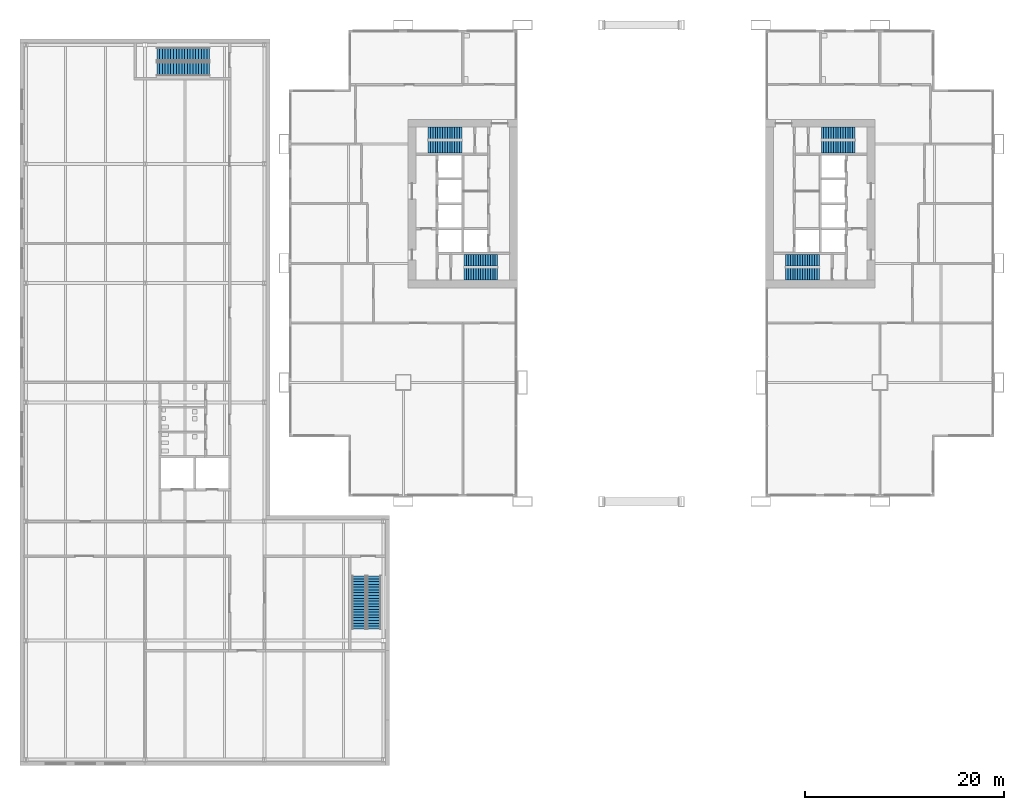
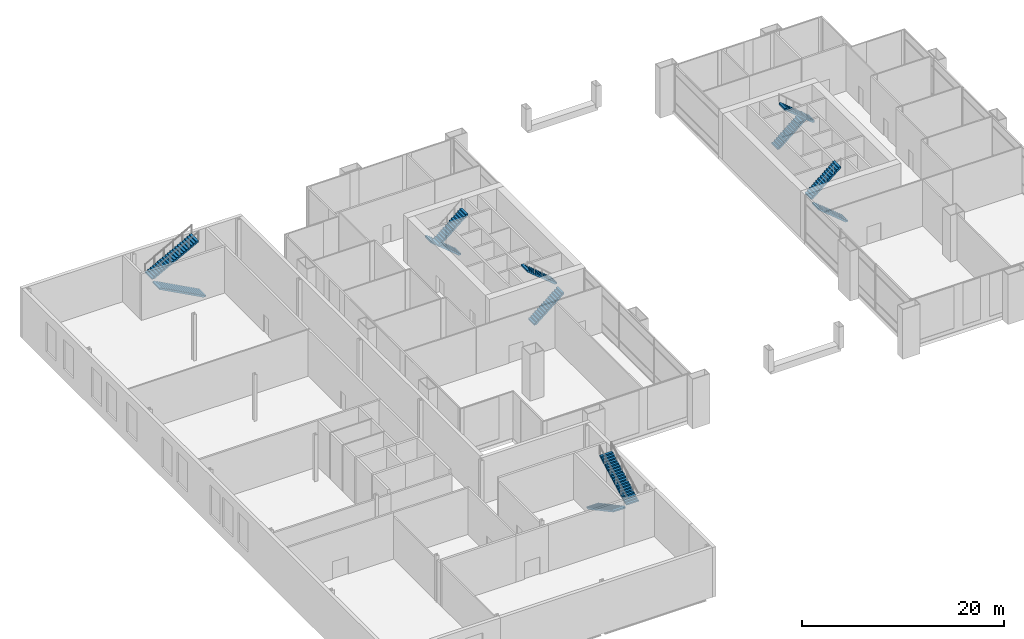
# One storey, part 23 of 25: 12 stair flights, 6 elements without a shape of their own.
"""IFC4 building model written with IfcOpenShell, lengths in metres."""

from ifc_helpers import new_model, si_unit, direction, frame, origin, place, context, subcontext, project, spatial, polyline, outline, extrude, material, type_object, element, aggregate, save


model = new_model("IFC4")

# Units and contexts
model_context = context("Model", 3, precision=1e-05, world=origin(), true_north=direction((0.0, 1.0)))
body_context = subcontext(model_context, "Body", "Model", "MODEL_VIEW")
ifc_project = project(units=[si_unit("LENGTHUNIT", "METRE"), si_unit("AREAUNIT", "SQUARE_METRE"), si_unit("VOLUMEUNIT", "CUBIC_METRE"), si_unit("PLANEANGLEUNIT", "RADIAN"), si_unit("MASSUNIT", "GRAM", prefix="KILO")], contexts=[model_context])

# Site, building, storey
site_placement = place(None, origin())
site = spatial("IfcSite", under=ifc_project, at=site_placement, CompositionType="ELEMENT")
building_placement = place(site_placement, origin())
building = spatial("IfcBuilding", under=site, at=building_placement, Name="Kitamizu Gate Tower and Museum", CompositionType="ELEMENT")
storey_placement = place(building_placement, frame((0.0, 0.0, 18.0)))
storey = spatial("IfcBuildingStorey", under=building, at=storey_placement, Name="L03", CompositionType="ELEMENT", Elevation=18.0)

# Stair, stair flights
ifc_material_1 = material(Name="Concrete Fc30", Category="concrete")
stair_type_1 = type_object("IfcStairType", Name="Museum stair 40 risers", PredefinedType="HALF_TURN_STAIR", material=ifc_material_1)
stair_1_placement = place(storey_placement, origin())
stair_1 = element("IfcStair", 1, at=stair_1_placement, inside=storey, type_object=stair_type_1, Name="Exit stair S", PredefinedType="HALF_TURN_STAIR")
ifc_material_2 = material(Name="Concrete Fc30", Category="concrete")
stair_flight_type_1 = type_object("IfcStairFlightType", Name="Museum stair flight 1400", PredefinedType="STRAIGHT", material=ifc_material_2)
stair_flight_1_placement = place(storey_placement, frame((7.550048828125, -7.5, 0.0), z_axis=(0.0, 0.0, 1.0), x_axis=(0.0, -1.0, 0.0)))
stair_flight_1 = element("IfcStairFlight", 2, at=stair_flight_1_placement, type_object=stair_flight_type_1, Name="MST1 flight 1", NumberOfRisers=20, NumberOfTreads=19, PredefinedType="STRAIGHT", RiserHeight=0.15, TreadLength=0.28, context=body_context, shape_type="SweptSolid", body=[
    extrude(outline(polyline([(0.0, 0.0), (0.0, 0.14990234375), (0.280029296875, 0.14990234375), (0.280029296875, 0.300048828125), (0.56005859375, 0.300048828125), (0.56005859375, 0.449951171875), (0.840087890625, 0.449951171875), (0.840087890625, 0.60009765625), (1.1201171875, 0.60009765625), (1.1201171875, 0.75), (1.39990234375, 0.75), (1.39990234375, 0.89990234375), (1.679931640625, 0.89990234375), (1.679931640625, 1.050048828125), (1.9599609375, 1.050048828125), (1.9599609375, 1.199951171875), (2.239990234375, 1.199951171875), (2.239990234375, 1.35009765625), (2.52001953125, 1.35009765625), (2.52001953125, 1.5), (2.800048828125, 1.5), (2.800048828125, 1.64990234375), (3.080078125, 1.64990234375), (3.080078125, 1.800048828125), (3.360107421875, 1.800048828125), (3.360107421875, 1.949951171875), (3.639892578125, 1.949951171875), (3.639892578125, 2.10009765625), (3.919921875, 2.10009765625), (3.919921875, 2.25), (4.199951171875, 2.25), (4.199951171875, 2.39990234375), (4.47998046875, 2.39990234375), (4.47998046875, 2.550048828125), (4.760009765625, 2.550048828125), (4.760009765625, 2.699951171875), (5.0400390625, 2.699951171875), (5.0400390625, 2.85009765625), (5.320068359375, 2.85009765625), (5.320068359375, 3.0), (5.320068359375, 2.679931640625), (0.3173828125, 0.0), (0.0, 0.0)])), frame((0.0, 0.699951171875, 0.0), z_axis=(0.0, -1.0, 0.0), x_axis=(1.0, 0.0, 0.0)), (0.0, 0.0, 1.0), 1.39990234375),
])
stair_flight_2_placement = place(storey_placement, frame((9.050048828125, -12.820068359375, 3.0), z_axis=(0.0, 0.0, 1.0), x_axis=(0.0, 1.0, 0.0)))
stair_flight_2 = element("IfcStairFlight", 3, at=stair_flight_2_placement, type_object=stair_flight_type_1, Name="MST1 flight 2", NumberOfRisers=20, NumberOfTreads=19, PredefinedType="STRAIGHT", RiserHeight=0.15, TreadLength=0.28, context=body_context, shape_type="SweptSolid", body=[
    extrude(outline(polyline([(0.0, 0.0), (0.0, 0.14990234375), (0.280029296875, 0.14990234375), (0.280029296875, 0.300048828125), (0.56005859375, 0.300048828125), (0.56005859375, 0.449951171875), (0.840087890625, 0.449951171875), (0.840087890625, 0.60009765625), (1.1201171875, 0.60009765625), (1.1201171875, 0.75), (1.39990234375, 0.75), (1.39990234375, 0.89990234375), (1.679931640625, 0.89990234375), (1.679931640625, 1.050048828125), (1.9599609375, 1.050048828125), (1.9599609375, 1.199951171875), (2.239990234375, 1.199951171875), (2.239990234375, 1.35009765625), (2.52001953125, 1.35009765625), (2.52001953125, 1.5), (2.800048828125, 1.5), (2.800048828125, 1.64990234375), (3.080078125, 1.64990234375), (3.080078125, 1.800048828125), (3.360107421875, 1.800048828125), (3.360107421875, 1.949951171875), (3.639892578125, 1.949951171875), (3.639892578125, 2.10009765625), (3.919921875, 2.10009765625), (3.919921875, 2.25), (4.199951171875, 2.25), (4.199951171875, 2.39990234375), (4.47998046875, 2.39990234375), (4.47998046875, 2.550048828125), (4.760009765625, 2.550048828125), (4.760009765625, 2.699951171875), (5.0400390625, 2.699951171875), (5.0400390625, 2.85009765625), (5.320068359375, 2.85009765625), (5.320068359375, 3.0), (5.320068359375, 2.679931640625), (0.3173828125, 0.0), (0.0, 0.0)])), frame((0.0, 0.699951171875, 0.0), z_axis=(0.0, -1.0, 0.0), x_axis=(1.0, 0.0, 0.0)), (0.0, 0.0, 1.0), 1.39990234375),
])
aggregate(stair_1, [stair_flight_1, stair_flight_2])

stair_2_placement = place(storey_placement, origin())
stair_2 = element("IfcStair", 4, at=stair_2_placement, inside=storey, type_object=stair_type_1, Name="Exit stair N", PredefinedType="HALF_TURN_STAIR")
stair_flight_3_placement = place(storey_placement, frame((-7.5, 43.550048828125, 0.0), z_axis=(0.0, 0.0, 1.0), x_axis=(-1.0, 0.0, 0.0)))
stair_flight_3 = element("IfcStairFlight", 5, at=stair_flight_3_placement, type_object=stair_flight_type_1, Name="MST2 flight 1", NumberOfRisers=20, NumberOfTreads=19, PredefinedType="STRAIGHT", RiserHeight=0.15, TreadLength=0.28, context=body_context, shape_type="SweptSolid", body=[
    extrude(outline(polyline([(0.0, 0.0), (0.0, 0.14990234375), (0.280029296875, 0.14990234375), (0.280029296875, 0.300048828125), (0.56005859375, 0.300048828125), (0.56005859375, 0.449951171875), (0.840087890625, 0.449951171875), (0.840087890625, 0.60009765625), (1.1201171875, 0.60009765625), (1.1201171875, 0.75), (1.39990234375, 0.75), (1.39990234375, 0.89990234375), (1.679931640625, 0.89990234375), (1.679931640625, 1.050048828125), (1.9599609375, 1.050048828125), (1.9599609375, 1.199951171875), (2.239990234375, 1.199951171875), (2.239990234375, 1.35009765625), (2.52001953125, 1.35009765625), (2.52001953125, 1.5), (2.800048828125, 1.5), (2.800048828125, 1.64990234375), (3.080078125, 1.64990234375), (3.080078125, 1.800048828125), (3.360107421875, 1.800048828125), (3.360107421875, 1.949951171875), (3.639892578125, 1.949951171875), (3.639892578125, 2.10009765625), (3.919921875, 2.10009765625), (3.919921875, 2.25), (4.199951171875, 2.25), (4.199951171875, 2.39990234375), (4.47998046875, 2.39990234375), (4.47998046875, 2.550048828125), (4.760009765625, 2.550048828125), (4.760009765625, 2.699951171875), (5.0400390625, 2.699951171875), (5.0400390625, 2.85009765625), (5.320068359375, 2.85009765625), (5.320068359375, 3.0), (5.320068359375, 2.679931640625), (0.3173828125, 0.0), (0.0, 0.0)])), frame((0.0, 0.699951171875, 0.0), z_axis=(0.0, -1.0, 0.0), x_axis=(1.0, 0.0, 0.0)), (0.0, 0.0, 1.0), 1.39990234375),
])
stair_flight_4_placement = place(storey_placement, frame((-12.820068359375, 45.050048828125, 3.0), z_axis=(0.0, 0.0, 1.0), x_axis=(1.0, 0.0, 0.0)))
stair_flight_4 = element("IfcStairFlight", 6, at=stair_flight_4_placement, type_object=stair_flight_type_1, Name="MST2 flight 2", NumberOfRisers=20, NumberOfTreads=19, PredefinedType="STRAIGHT", RiserHeight=0.15, TreadLength=0.28, context=body_context, shape_type="SweptSolid", body=[
    extrude(outline(polyline([(0.0, 0.0), (0.0, 0.14990234375), (0.280029296875, 0.14990234375), (0.280029296875, 0.300048828125), (0.56005859375, 0.300048828125), (0.56005859375, 0.449951171875), (0.840087890625, 0.449951171875), (0.840087890625, 0.60009765625), (1.1201171875, 0.60009765625), (1.1201171875, 0.75), (1.39990234375, 0.75), (1.39990234375, 0.89990234375), (1.679931640625, 0.89990234375), (1.679931640625, 1.050048828125), (1.9599609375, 1.050048828125), (1.9599609375, 1.199951171875), (2.239990234375, 1.199951171875), (2.239990234375, 1.35009765625), (2.52001953125, 1.35009765625), (2.52001953125, 1.5), (2.800048828125, 1.5), (2.800048828125, 1.64990234375), (3.080078125, 1.64990234375), (3.080078125, 1.800048828125), (3.360107421875, 1.800048828125), (3.360107421875, 1.949951171875), (3.639892578125, 1.949951171875), (3.639892578125, 2.10009765625), (3.919921875, 2.10009765625), (3.919921875, 2.25), (4.199951171875, 2.25), (4.199951171875, 2.39990234375), (4.47998046875, 2.39990234375), (4.47998046875, 2.550048828125), (4.760009765625, 2.550048828125), (4.760009765625, 2.699951171875), (5.0400390625, 2.699951171875), (5.0400390625, 2.85009765625), (5.320068359375, 2.85009765625), (5.320068359375, 3.0), (5.320068359375, 2.679931640625), (0.3173828125, 0.0), (0.0, 0.0)])), frame((0.0, 0.699951171875, 0.0), z_axis=(0.0, -1.0, 0.0), x_axis=(1.0, 0.0, 0.0)), (0.0, 0.0, 1.0), 1.39990234375),
])
aggregate(stair_2, [stair_flight_3, stair_flight_4])

ifc_material_3 = material(Name="Concrete Fc42", Category="concrete")
stair_type_2 = type_object("IfcStairType", Name="Exit stair 1200 wide 200 rise 243 going", PredefinedType="HALF_TURN_STAIR", material=ifc_material_3)
stair_3_placement = place(storey_placement, origin())
stair_3 = element("IfcStair", 7, at=stair_3_placement, inside=storey, type_object=stair_type_2, Name="Exit stair ST1", PredefinedType="HALF_TURN_STAIR")
ifc_material_4 = material(Name="Concrete Fc42", Category="concrete")
stair_flight_type_2 = type_object("IfcStairFlightType", Name="Stair flight 1200 wide 200 rise 243 going", PredefinedType="STRAIGHT", material=ifc_material_4)
stair_flight_5_placement = place(storey_placement, frame((18.10009765625, 22.89990234375, 0.0), z_axis=(0.0, 0.0, 1.0), x_axis=(1.0, 0.0, 0.0)))
stair_flight_5 = element("IfcStairFlight", 8, at=stair_flight_5_placement, type_object=stair_flight_type_2, Name="ST1 flight 1", NumberOfRisers=15, NumberOfTreads=14, PredefinedType="STRAIGHT", RiserHeight=0.2, TreadLength=0.242857143, context=body_context, shape_type="SweptSolid", body=[
    extrude(outline(polyline([(0.0, 0.0), (0.0, 0.199951171875), (0.242919921875, 0.199951171875), (0.242919921875, 0.39990234375), (0.485595703125, 0.39990234375), (0.485595703125, 0.60009765625), (0.728515625, 0.60009765625), (0.728515625, 0.800048828125), (0.971435546875, 0.800048828125), (0.971435546875, 1.0), (1.21435546875, 1.0), (1.21435546875, 1.199951171875), (1.45703125, 1.199951171875), (1.45703125, 1.39990234375), (1.699951171875, 1.39990234375), (1.699951171875, 1.60009765625), (1.94287109375, 1.60009765625), (1.94287109375, 1.800048828125), (2.185791015625, 1.800048828125), (2.185791015625, 2.0), (2.428466796875, 2.0), (2.428466796875, 2.199951171875), (2.67138671875, 2.199951171875), (2.67138671875, 2.39990234375), (2.914306640625, 2.39990234375), (2.914306640625, 2.60009765625), (3.1572265625, 2.60009765625), (3.1572265625, 2.800048828125), (3.39990234375, 2.800048828125), (3.39990234375, 3.0), (3.39990234375, 2.605712890625), (0.23583984375, 0.0), (0.0, 0.0)])), frame((0.0, 0.60009765625, 0.0), z_axis=(0.0, -1.0, 0.0), x_axis=(1.0, 0.0, 0.0)), (0.0, 0.0, 1.0), 1.199951171875),
])
stair_flight_6_placement = place(storey_placement, frame((21.5, 24.300048828125, 3.0), z_axis=(0.0, 0.0, 1.0), x_axis=(-1.0, 0.0, 0.0)))
stair_flight_6 = element("IfcStairFlight", 9, at=stair_flight_6_placement, type_object=stair_flight_type_2, Name="ST1 flight 2", NumberOfRisers=15, NumberOfTreads=14, PredefinedType="STRAIGHT", RiserHeight=0.2, TreadLength=0.242857143, context=body_context, shape_type="SweptSolid", body=[
    extrude(outline(polyline([(0.0, 0.0), (0.0, 0.199951171875), (0.242919921875, 0.199951171875), (0.242919921875, 0.39990234375), (0.485595703125, 0.39990234375), (0.485595703125, 0.60009765625), (0.728515625, 0.60009765625), (0.728515625, 0.800048828125), (0.971435546875, 0.800048828125), (0.971435546875, 1.0), (1.21435546875, 1.0), (1.21435546875, 1.199951171875), (1.45703125, 1.199951171875), (1.45703125, 1.39990234375), (1.699951171875, 1.39990234375), (1.699951171875, 1.60009765625), (1.94287109375, 1.60009765625), (1.94287109375, 1.800048828125), (2.185791015625, 1.800048828125), (2.185791015625, 2.0), (2.428466796875, 2.0), (2.428466796875, 2.199951171875), (2.67138671875, 2.199951171875), (2.67138671875, 2.39990234375), (2.914306640625, 2.39990234375), (2.914306640625, 2.60009765625), (3.1572265625, 2.60009765625), (3.1572265625, 2.800048828125), (3.39990234375, 2.800048828125), (3.39990234375, 3.0), (3.39990234375, 2.605712890625), (0.23583984375, 0.0), (0.0, 0.0)])), frame((0.0, 0.60009765625, 0.0), z_axis=(0.0, -1.0, 0.0), x_axis=(1.0, 0.0, 0.0)), (0.0, 0.0, 1.0), 1.199951171875),
])
aggregate(stair_3, [stair_flight_5, stair_flight_6])

stair_4_placement = place(storey_placement, origin())
stair_4 = element("IfcStair", 10, at=stair_4_placement, inside=storey, type_object=stair_type_2, Name="Exit stair ST2", PredefinedType="HALF_TURN_STAIR")
stair_flight_7_placement = place(storey_placement, frame((17.89990234375, 37.10009765625, 0.0), z_axis=(0.0, 0.0, 1.0), x_axis=(-1.0, 0.0, 0.0)))
stair_flight_7 = element("IfcStairFlight", 11, at=stair_flight_7_placement, type_object=stair_flight_type_2, Name="ST2 flight 1", NumberOfRisers=15, NumberOfTreads=14, PredefinedType="STRAIGHT", RiserHeight=0.2, TreadLength=0.242857143, context=body_context, shape_type="SweptSolid", body=[
    extrude(outline(polyline([(0.0, 0.0), (0.0, 0.199951171875), (0.242919921875, 0.199951171875), (0.242919921875, 0.39990234375), (0.485595703125, 0.39990234375), (0.485595703125, 0.60009765625), (0.728515625, 0.60009765625), (0.728515625, 0.800048828125), (0.971435546875, 0.800048828125), (0.971435546875, 1.0), (1.21435546875, 1.0), (1.21435546875, 1.199951171875), (1.45703125, 1.199951171875), (1.45703125, 1.39990234375), (1.699951171875, 1.39990234375), (1.699951171875, 1.60009765625), (1.94287109375, 1.60009765625), (1.94287109375, 1.800048828125), (2.185791015625, 1.800048828125), (2.185791015625, 2.0), (2.428466796875, 2.0), (2.428466796875, 2.199951171875), (2.67138671875, 2.199951171875), (2.67138671875, 2.39990234375), (2.914306640625, 2.39990234375), (2.914306640625, 2.60009765625), (3.1572265625, 2.60009765625), (3.1572265625, 2.800048828125), (3.39990234375, 2.800048828125), (3.39990234375, 3.0), (3.39990234375, 2.605712890625), (0.23583984375, 0.0), (0.0, 0.0)])), frame((0.0, 0.60009765625, 0.0), z_axis=(0.0, -1.0, 0.0), x_axis=(1.0, 0.0, 0.0)), (0.0, 0.0, 1.0), 1.199951171875),
])
stair_flight_8_placement = place(storey_placement, frame((14.5, 35.699951171875, 3.0), z_axis=(0.0, 0.0, 1.0), x_axis=(1.0, 0.0, 0.0)))
stair_flight_8 = element("IfcStairFlight", 12, at=stair_flight_8_placement, type_object=stair_flight_type_2, Name="ST2 flight 2", NumberOfRisers=15, NumberOfTreads=14, PredefinedType="STRAIGHT", RiserHeight=0.2, TreadLength=0.242857143, context=body_context, shape_type="SweptSolid", body=[
    extrude(outline(polyline([(0.0, 0.0), (0.0, 0.199951171875), (0.242919921875, 0.199951171875), (0.242919921875, 0.39990234375), (0.485595703125, 0.39990234375), (0.485595703125, 0.60009765625), (0.728515625, 0.60009765625), (0.728515625, 0.800048828125), (0.971435546875, 0.800048828125), (0.971435546875, 1.0), (1.21435546875, 1.0), (1.21435546875, 1.199951171875), (1.45703125, 1.199951171875), (1.45703125, 1.39990234375), (1.699951171875, 1.39990234375), (1.699951171875, 1.60009765625), (1.94287109375, 1.60009765625), (1.94287109375, 1.800048828125), (2.185791015625, 1.800048828125), (2.185791015625, 2.0), (2.428466796875, 2.0), (2.428466796875, 2.199951171875), (2.67138671875, 2.199951171875), (2.67138671875, 2.39990234375), (2.914306640625, 2.39990234375), (2.914306640625, 2.60009765625), (3.1572265625, 2.60009765625), (3.1572265625, 2.800048828125), (3.39990234375, 2.800048828125), (3.39990234375, 3.0), (3.39990234375, 2.605712890625), (0.23583984375, 0.0), (0.0, 0.0)])), frame((0.0, 0.60009765625, 0.0), z_axis=(0.0, -1.0, 0.0), x_axis=(1.0, 0.0, 0.0)), (0.0, 0.0, 1.0), 1.199951171875),
])
aggregate(stair_4, [stair_flight_7, stair_flight_8])

stair_5_placement = place(storey_placement, origin())
stair_5 = element("IfcStair", 13, at=stair_5_placement, inside=storey, type_object=stair_type_2, Name="Exit stair ST3", PredefinedType="HALF_TURN_STAIR")
stair_flight_9_placement = place(storey_placement, frame((53.89990234375, 22.89990234375, 0.0), z_axis=(0.0, 0.0, 1.0), x_axis=(-1.0, 0.0, 0.0)))
stair_flight_9 = element("IfcStairFlight", 14, at=stair_flight_9_placement, type_object=stair_flight_type_2, Name="ST3 flight 1", NumberOfRisers=15, NumberOfTreads=14, PredefinedType="STRAIGHT", RiserHeight=0.2, TreadLength=0.242857143, context=body_context, shape_type="SweptSolid", body=[
    extrude(outline(polyline([(0.0, 0.0), (0.0, 0.199951171875), (0.242919921875, 0.199951171875), (0.242919921875, 0.39990234375), (0.485595703125, 0.39990234375), (0.485595703125, 0.60009765625), (0.728515625, 0.60009765625), (0.728515625, 0.800048828125), (0.971435546875, 0.800048828125), (0.971435546875, 1.0), (1.21435546875, 1.0), (1.21435546875, 1.199951171875), (1.45703125, 1.199951171875), (1.45703125, 1.39990234375), (1.699951171875, 1.39990234375), (1.699951171875, 1.60009765625), (1.94287109375, 1.60009765625), (1.94287109375, 1.800048828125), (2.185791015625, 1.800048828125), (2.185791015625, 2.0), (2.428466796875, 2.0), (2.428466796875, 2.199951171875), (2.67138671875, 2.199951171875), (2.67138671875, 2.39990234375), (2.914306640625, 2.39990234375), (2.914306640625, 2.60009765625), (3.1572265625, 2.60009765625), (3.1572265625, 2.800048828125), (3.39990234375, 2.800048828125), (3.39990234375, 3.0), (3.39990234375, 2.605712890625), (0.23583984375, 0.0), (0.0, 0.0)])), frame((0.0, 0.60009765625, 0.0), z_axis=(0.0, -1.0, 0.0), x_axis=(1.0, 0.0, 0.0)), (0.0, 0.0, 1.0), 1.199951171875),
])
stair_flight_10_placement = place(storey_placement, frame((50.5, 24.300048828125, 3.0), z_axis=(0.0, 0.0, 1.0), x_axis=(1.0, 0.0, 0.0)))
stair_flight_10 = element("IfcStairFlight", 15, at=stair_flight_10_placement, type_object=stair_flight_type_2, Name="ST3 flight 2", NumberOfRisers=15, NumberOfTreads=14, PredefinedType="STRAIGHT", RiserHeight=0.2, TreadLength=0.242857143, context=body_context, shape_type="SweptSolid", body=[
    extrude(outline(polyline([(0.0, 0.0), (0.0, 0.199951171875), (0.242919921875, 0.199951171875), (0.242919921875, 0.39990234375), (0.485595703125, 0.39990234375), (0.485595703125, 0.60009765625), (0.728515625, 0.60009765625), (0.728515625, 0.800048828125), (0.971435546875, 0.800048828125), (0.971435546875, 1.0), (1.21435546875, 1.0), (1.21435546875, 1.199951171875), (1.45703125, 1.199951171875), (1.45703125, 1.39990234375), (1.699951171875, 1.39990234375), (1.699951171875, 1.60009765625), (1.94287109375, 1.60009765625), (1.94287109375, 1.800048828125), (2.185791015625, 1.800048828125), (2.185791015625, 2.0), (2.428466796875, 2.0), (2.428466796875, 2.199951171875), (2.67138671875, 2.199951171875), (2.67138671875, 2.39990234375), (2.914306640625, 2.39990234375), (2.914306640625, 2.60009765625), (3.1572265625, 2.60009765625), (3.1572265625, 2.800048828125), (3.39990234375, 2.800048828125), (3.39990234375, 3.0), (3.39990234375, 2.605712890625), (0.23583984375, 0.0), (0.0, 0.0)])), frame((0.0, 0.60009765625, 0.0), z_axis=(0.0, -1.0, 0.0), x_axis=(1.0, 0.0, 0.0)), (0.0, 0.0, 1.0), 1.199951171875),
])
aggregate(stair_5, [stair_flight_9, stair_flight_10])

stair_6_placement = place(storey_placement, origin())
stair_6 = element("IfcStair", 16, at=stair_6_placement, inside=storey, type_object=stair_type_2, Name="Exit stair ST4", PredefinedType="HALF_TURN_STAIR")
stair_flight_11_placement = place(storey_placement, frame((54.10009765625, 37.10009765625, 0.0), z_axis=(0.0, 0.0, 1.0), x_axis=(1.0, 0.0, 0.0)))
stair_flight_11 = element("IfcStairFlight", 17, at=stair_flight_11_placement, type_object=stair_flight_type_2, Name="ST4 flight 1", NumberOfRisers=15, NumberOfTreads=14, PredefinedType="STRAIGHT", RiserHeight=0.2, TreadLength=0.242857143, context=body_context, shape_type="SweptSolid", body=[
    extrude(outline(polyline([(0.0, 0.0), (0.0, 0.199951171875), (0.242919921875, 0.199951171875), (0.242919921875, 0.39990234375), (0.485595703125, 0.39990234375), (0.485595703125, 0.60009765625), (0.728515625, 0.60009765625), (0.728515625, 0.800048828125), (0.971435546875, 0.800048828125), (0.971435546875, 1.0), (1.21435546875, 1.0), (1.21435546875, 1.199951171875), (1.45703125, 1.199951171875), (1.45703125, 1.39990234375), (1.699951171875, 1.39990234375), (1.699951171875, 1.60009765625), (1.94287109375, 1.60009765625), (1.94287109375, 1.800048828125), (2.185791015625, 1.800048828125), (2.185791015625, 2.0), (2.428466796875, 2.0), (2.428466796875, 2.199951171875), (2.67138671875, 2.199951171875), (2.67138671875, 2.39990234375), (2.914306640625, 2.39990234375), (2.914306640625, 2.60009765625), (3.1572265625, 2.60009765625), (3.1572265625, 2.800048828125), (3.39990234375, 2.800048828125), (3.39990234375, 3.0), (3.39990234375, 2.605712890625), (0.23583984375, 0.0), (0.0, 0.0)])), frame((0.0, 0.60009765625, 0.0), z_axis=(0.0, -1.0, 0.0), x_axis=(1.0, 0.0, 0.0)), (0.0, 0.0, 1.0), 1.199951171875),
])
stair_flight_12_placement = place(storey_placement, frame((57.5, 35.699951171875, 3.0), z_axis=(0.0, 0.0, 1.0), x_axis=(-1.0, 0.0, 0.0)))
stair_flight_12 = element("IfcStairFlight", 18, at=stair_flight_12_placement, type_object=stair_flight_type_2, Name="ST4 flight 2", NumberOfRisers=15, NumberOfTreads=14, PredefinedType="STRAIGHT", RiserHeight=0.2, TreadLength=0.242857143, context=body_context, shape_type="SweptSolid", body=[
    extrude(outline(polyline([(0.0, 0.0), (0.0, 0.199951171875), (0.242919921875, 0.199951171875), (0.242919921875, 0.39990234375), (0.485595703125, 0.39990234375), (0.485595703125, 0.60009765625), (0.728515625, 0.60009765625), (0.728515625, 0.800048828125), (0.971435546875, 0.800048828125), (0.971435546875, 1.0), (1.21435546875, 1.0), (1.21435546875, 1.199951171875), (1.45703125, 1.199951171875), (1.45703125, 1.39990234375), (1.699951171875, 1.39990234375), (1.699951171875, 1.60009765625), (1.94287109375, 1.60009765625), (1.94287109375, 1.800048828125), (2.185791015625, 1.800048828125), (2.185791015625, 2.0), (2.428466796875, 2.0), (2.428466796875, 2.199951171875), (2.67138671875, 2.199951171875), (2.67138671875, 2.39990234375), (2.914306640625, 2.39990234375), (2.914306640625, 2.60009765625), (3.1572265625, 2.60009765625), (3.1572265625, 2.800048828125), (3.39990234375, 2.800048828125), (3.39990234375, 3.0), (3.39990234375, 2.605712890625), (0.23583984375, 0.0), (0.0, 0.0)])), frame((0.0, 0.60009765625, 0.0), z_axis=(0.0, -1.0, 0.0), x_axis=(1.0, 0.0, 0.0)), (0.0, 0.0, 1.0), 1.199951171875),
])
aggregate(stair_6, [stair_flight_11, stair_flight_12])

save(model, "model.ifc")
